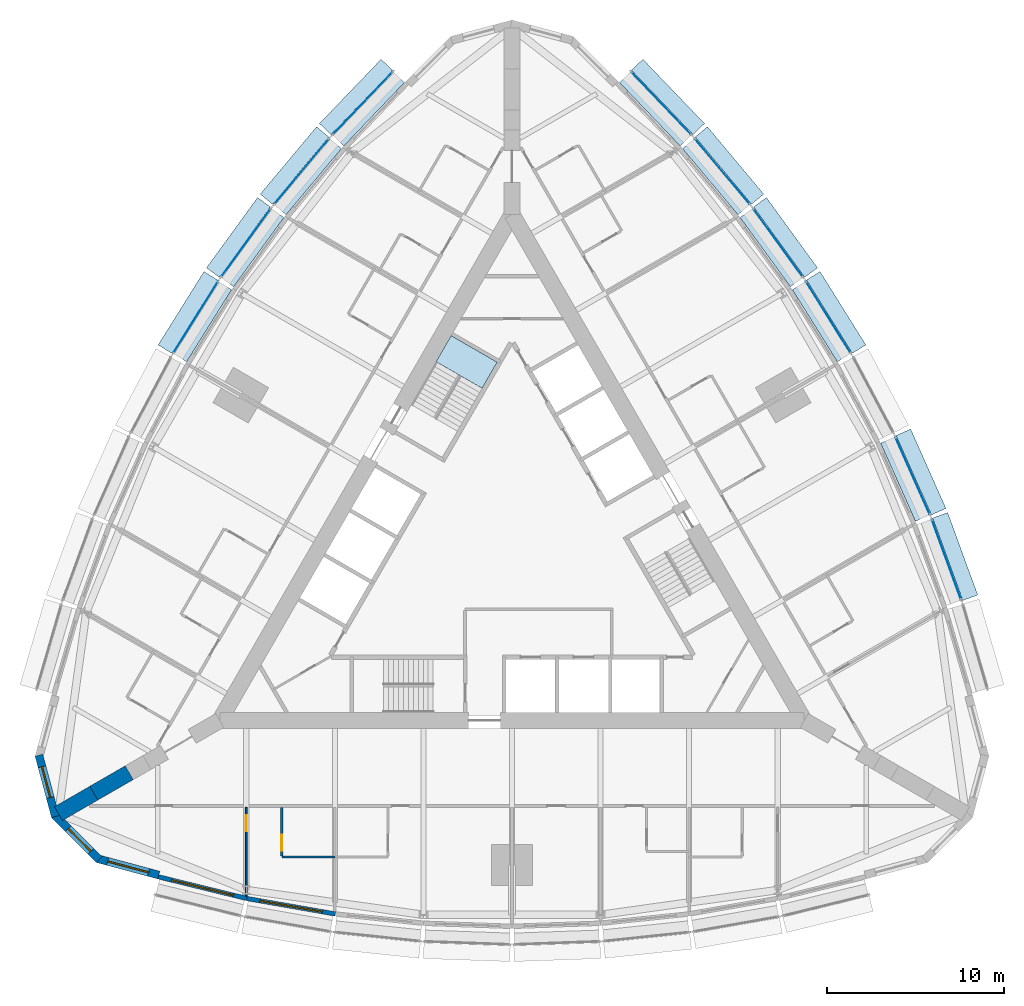
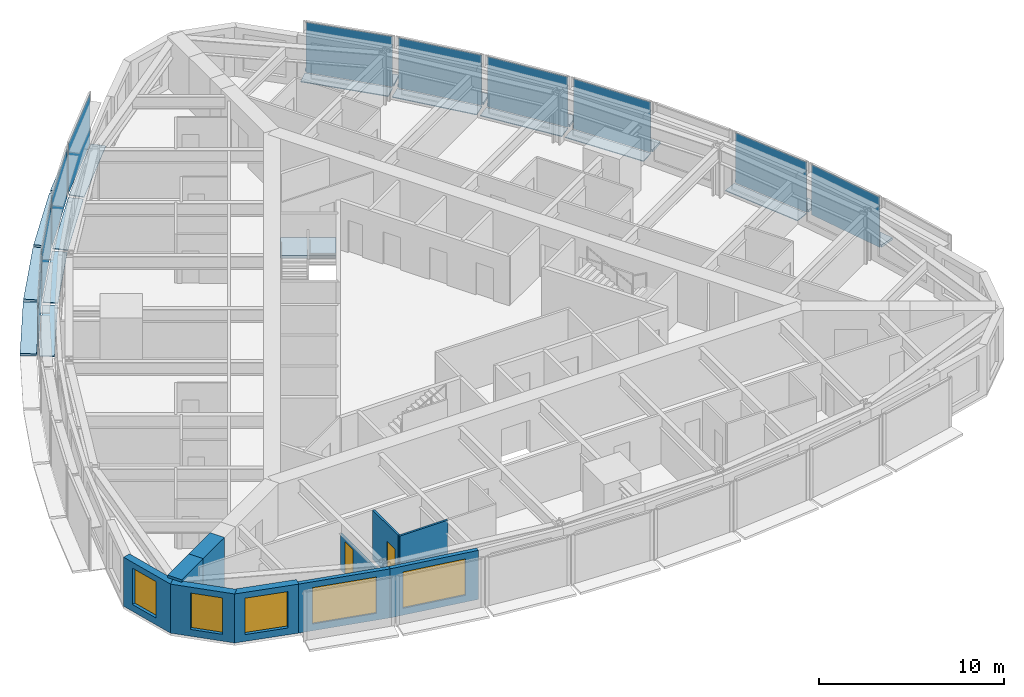
# One storey, part 7 of 14: 29 plates, 10 walls, 5 windows, 2 doors, 1 slab, 7 openings, 11 elements without a shape of their own.
"""IFC4 building model written with IfcOpenShell, lengths in metres."""

from ifc_helpers import new_model, si_unit, direction, frame, frame_2d, origin, origin_2d, place, context, subcontext, project, spatial, polyline, rectangle, outline, extrude, material, layer, layer_set, type_object, element, fill, aggregate, save


model = new_model("IFC4")

# Units and contexts
model_context = context("Model", 3, precision=1e-05, world=origin(), true_north=direction((0.0, 1.0)))
body_context = subcontext(model_context, "Body", "Model", "MODEL_VIEW")
ifc_project = project(units=[si_unit("LENGTHUNIT", "METRE"), si_unit("AREAUNIT", "SQUARE_METRE"), si_unit("VOLUMEUNIT", "CUBIC_METRE"), si_unit("PLANEANGLEUNIT", "RADIAN"), si_unit("MASSUNIT", "GRAM", prefix="KILO")], contexts=[model_context])

# Site, building, storey
site_placement = place(None, origin())
site = spatial("IfcSite", under=ifc_project, at=site_placement, CompositionType="ELEMENT")
building_placement = place(site_placement, origin())
building = spatial("IfcBuilding", under=site, at=building_placement, Name="Trikona Tower", CompositionType="ELEMENT")
storey_placement = place(building_placement, frame((0.0, 0.0, 162.300048828125)))
storey = spatial("IfcBuildingStorey", under=building, at=storey_placement, Name="L43", CompositionType="ELEMENT", Elevation=162.300048828125)

# Plates
ifc_material_1 = material(Name="Aluminium bar grating", Category="aluminium")
ifc_layer_1 = layer(ifc_material_1, 0.050048828125)
ifc_layer_set_1 = layer_set([ifc_layer_1], Name="Cavity catwalk grating")
plate_type_1 = type_object("IfcPlateType", Name="Cavity catwalk grating", PredefinedType="USERDEFINED", material=ifc_layer_set_1)
plate_1_placement = place(storey_placement, frame((22.175048828125, 4.092529296875, -0.05029296875), z_axis=(0.0, 0.0, 1.0), x_axis=(-0.406843467615, 0.913497888809, 0.0)))
element("IfcPlate", 1, at=plate_1_placement, inside=storey, type_object=plate_type_1, Name="Cavity catwalk L43-14", ObjectType="CATWALK GRATING", PredefinedType="USERDEFINED", context=body_context, shape_type="SweptSolid", body=[
    extrude(rectangle(XDim=4.827392578125, YDim=0.830078125, at=origin_2d()), origin(), (0.0, 0.0, 1.0), 0.050048828125),
])
plate_2_placement = place(storey_placement, frame((17.450927734375, 12.978759765625, -0.05029296875), z_axis=(0.0, 0.0, 1.0), x_axis=(-0.529994748414, 0.848000923734, 0.0)))
element("IfcPlate", 2, at=plate_2_placement, inside=storey, type_object=plate_type_1, Name="Cavity catwalk L43-16", ObjectType="CATWALK GRATING", PredefinedType="USERDEFINED", context=body_context, shape_type="SweptSolid", body=[
    extrude(rectangle(XDim=4.802978515625, YDim=0.830078125, at=origin_2d()), origin(), (0.0, 0.0, 1.0), 0.050048828125),
])
plate_3_placement = place(storey_placement, frame((14.6318359375, 17.157958984375, -0.05029296875), z_axis=(0.0, 0.0, 1.0), x_axis=(-0.587686407834, 0.809088799853, 0.0)))
element("IfcPlate", 3, at=plate_3_placement, inside=storey, type_object=plate_type_1, Name="Cavity catwalk L43-17", ObjectType="CATWALK GRATING", PredefinedType="USERDEFINED", context=body_context, shape_type="SweptSolid", body=[
    extrude(rectangle(XDim=4.827392578125, YDim=0.830078125, at=origin_2d()), origin(), (0.0, 0.0, 1.0), 0.050048828125),
])
plate_4_placement = place(storey_placement, frame((11.508056640625, 21.160400390625, -0.05029296875), z_axis=(0.0, 0.0, 1.0), x_axis=(-0.641807063101, 0.766866151133, 0.0)))
element("IfcPlate", 4, at=plate_4_placement, inside=storey, type_object=plate_type_1, Name="Cavity catwalk L43-18", ObjectType="CATWALK GRATING", PredefinedType="USERDEFINED", context=body_context, shape_type="SweptSolid", body=[
    extrude(rectangle(XDim=4.8759765625, YDim=0.830078125, at=origin_2d()), origin(), (0.0, 0.0, 1.0), 0.050048828125),
])
for number, where, z_axis, x_axis, name in (
    (5, (8.080078125, 24.986328125, -0.05029296875), (0.0, 0.0, 1.0), (-0.691723573819, 0.722162376078, 0.0), "Cavity catwalk L43-19"),
    (6, (-8.080078125, 24.986328125, -0.05029296875), (0.0, 0.0, 1.0), (-0.691723573819, -0.722162376078, 0.0), "Cavity catwalk L43-24"),
):
    element("IfcPlate", number, at=place(storey_placement, frame(where, z_axis=z_axis, x_axis=x_axis)), inside=storey, type_object=plate_type_1, Name=name, ObjectType="CATWALK GRATING", PredefinedType="USERDEFINED", context=body_context, shape_type="SweptSolid", body=[
        extrude(rectangle(XDim=4.947998046875, YDim=0.830078125, at=origin_2d()), origin(), (0.0, 0.0, 1.0), 0.050048828125),
    ])
plate_5_placement = place(storey_placement, frame((-11.508056640625, 21.160400390625, -0.05029296875), z_axis=(0.0, 0.0, 1.0), x_axis=(-0.641807063101, -0.766866151133, 0.0)))
element("IfcPlate", 7, at=plate_5_placement, inside=storey, type_object=plate_type_1, Name="Cavity catwalk L43-25", ObjectType="CATWALK GRATING", PredefinedType="USERDEFINED", context=body_context, shape_type="SweptSolid", body=[
    extrude(rectangle(XDim=4.8759765625, YDim=0.830078125, at=origin_2d()), origin(), (0.0, 0.0, 1.0), 0.050048828125),
])
plate_6_placement = place(storey_placement, frame((-14.6318359375, 17.157958984375, -0.05029296875), z_axis=(0.0, 0.0, 1.0), x_axis=(-0.587686407834, -0.809088799853, 0.0)))
element("IfcPlate", 8, at=plate_6_placement, inside=storey, type_object=plate_type_1, Name="Cavity catwalk L43-26", ObjectType="CATWALK GRATING", PredefinedType="USERDEFINED", context=body_context, shape_type="SweptSolid", body=[
    extrude(rectangle(XDim=4.827392578125, YDim=0.830078125, at=origin_2d()), origin(), (0.0, 0.0, 1.0), 0.050048828125),
])
plate_7_placement = place(storey_placement, frame((-17.450927734375, 12.978759765625, -0.05029296875), z_axis=(0.0, 0.0, 1.0), x_axis=(-0.529994748414, -0.848000923734, 0.0)))
element("IfcPlate", 9, at=plate_7_placement, inside=storey, type_object=plate_type_1, Name="Cavity catwalk L43-27", ObjectType="CATWALK GRATING", PredefinedType="USERDEFINED", context=body_context, shape_type="SweptSolid", body=[
    extrude(rectangle(XDim=4.802978515625, YDim=0.830078125, at=origin_2d()), origin(), (0.0, 0.0, 1.0), 0.050048828125),
])

# Curtain wall, plate
ifc_material_2 = material(Name="Aluminium curtain wall system", Category="aluminium")
curtain_wall_type = type_object("IfcCurtainWallType", Name="Curtain wall DS2", PredefinedType="NOTDEFINED", material=ifc_material_2)
curtain_wall_1_placement = place(storey_placement, origin())
curtain_wall_1 = element("IfcCurtainWall", 10, at=curtain_wall_1_placement, inside=storey, type_object=curtain_wall_type, Name="Curtain wall DS2 L43", PredefinedType="NOTDEFINED")
ifc_material_3 = material(Name="Laminated clear glass", Category="glass")
ifc_layer_2 = layer(ifc_material_3, 0.028076171875)
ifc_layer_set_2 = layer_set([ifc_layer_2], Name="Glass panel DS2")
plate_type_2 = type_object("IfcPlateType", Name="Glass panel DS2", PredefinedType="CURTAIN_PANEL", material=ifc_layer_set_2)
plate_8_placement = place(storey_placement, frame((24.53515625, -0.447509765625, 0.0), z_axis=(0.0, 0.0, 1.0), x_axis=(-0.343223420143, 0.939253790978, 0.0)))
plate_8 = element("IfcPlate", 11, at=plate_8_placement, type_object=plate_type_2, Name="CW-DS2 panel 1.1", PredefinedType="CURTAIN_PANEL", context=body_context, shape_type="SweptSolid", body=[
    extrude(rectangle(XDim=4.7958984375, YDim=0.028076171875, at=origin_2d()), origin(), (0.0, 0.0, 1.0), 3.320068359375),
])
aggregate(curtain_wall_1, [plate_8])

curtain_wall_2_placement = place(storey_placement, origin())
curtain_wall_2 = element("IfcCurtainWall", 12, at=curtain_wall_2_placement, inside=storey, type_object=curtain_wall_type, Name="Curtain wall DS2 L43", PredefinedType="NOTDEFINED")
plate_9_placement = place(storey_placement, frame((22.6181640625, 4.289794921875, 0.0), z_axis=(0.0, 0.0, 1.0), x_axis=(-0.406836013132, 0.913501208767, 0.0)))
plate_9 = element("IfcPlate", 13, at=plate_9_placement, type_object=plate_type_2, Name="CW-DS2 panel 1.1", PredefinedType="CURTAIN_PANEL", context=body_context, shape_type="SweptSolid", body=[
    extrude(rectangle(XDim=4.747314453125, YDim=0.028076171875, at=origin_2d()), origin(), (0.0, 0.0, 1.0), 3.320068359375),
])
aggregate(curtain_wall_2, [plate_9])

curtain_wall_3_placement = place(storey_placement, origin())
curtain_wall_3 = element("IfcCurtainWall", 14, at=curtain_wall_3_placement, inside=storey, type_object=curtain_wall_type, Name="Curtain wall DS2 L43", PredefinedType="NOTDEFINED")
plate_10_placement = place(storey_placement, frame((17.8623046875, 13.23583984375, 0.0), z_axis=(0.0, 0.0, 1.0), x_axis=(-0.529998940002, 0.847998304006, 0.0)))
plate_10 = element("IfcPlate", 15, at=plate_10_placement, type_object=plate_type_2, Name="CW-DS2 panel 1.1", PredefinedType="CURTAIN_PANEL", context=body_context, shape_type="SweptSolid", body=[
    extrude(rectangle(XDim=4.72314453125, YDim=0.028076171875, at=origin_2d()), origin(), (0.0, 0.0, 1.0), 3.320068359375),
])
aggregate(curtain_wall_3, [plate_10])

curtain_wall_4_placement = place(storey_placement, origin())
curtain_wall_4 = element("IfcCurtainWall", 16, at=curtain_wall_4_placement, inside=storey, type_object=curtain_wall_type, Name="Curtain wall DS2 L43", PredefinedType="NOTDEFINED")
plate_11_placement = place(storey_placement, frame((15.024169921875, 17.443115234375, 0.0), z_axis=(0.0, 0.0, 1.0), x_axis=(-0.587690588313, 0.80908576332, 0.0)))
plate_11 = element("IfcPlate", 17, at=plate_11_placement, type_object=plate_type_2, Name="CW-DS2 panel 1.1", PredefinedType="CURTAIN_PANEL", context=body_context, shape_type="SweptSolid", body=[
    extrude(rectangle(XDim=4.74755859375, YDim=0.028076171875, at=origin_2d()), origin(), (0.0, 0.0, 1.0), 3.320068359375),
])
aggregate(curtain_wall_4, [plate_11])

curtain_wall_5_placement = place(storey_placement, origin())
curtain_wall_5 = element("IfcCurtainWall", 18, at=curtain_wall_5_placement, inside=storey, type_object=curtain_wall_type, Name="Curtain wall DS2 L43", PredefinedType="NOTDEFINED")
plate_12_placement = place(storey_placement, frame((11.8798828125, 21.4716796875, 0.0), z_axis=(0.0, 0.0, 1.0), x_axis=(-0.641806433248, 0.766866678271, 0.0)))
plate_12 = element("IfcPlate", 19, at=plate_12_placement, type_object=plate_type_2, Name="CW-DS2 panel 1.1", PredefinedType="CURTAIN_PANEL", context=body_context, shape_type="SweptSolid", body=[
    extrude(rectangle(XDim=4.7958984375, YDim=0.028076171875, at=origin_2d()), origin(), (0.0, 0.0, 1.0), 3.320068359375),
])
aggregate(curtain_wall_5, [plate_12])

curtain_wall_6_placement = place(storey_placement, origin())
curtain_wall_6 = element("IfcCurtainWall", 20, at=curtain_wall_6_placement, inside=storey, type_object=curtain_wall_type, Name="Curtain wall DS2 L43", PredefinedType="NOTDEFINED")
plate_13_placement = place(storey_placement, frame((8.430419921875, 25.32177734375, 0.0), z_axis=(0.0, 0.0, 1.0), x_axis=(-0.691727797117, 0.722158330767, 0.0)))
plate_13 = element("IfcPlate", 21, at=plate_13_placement, type_object=plate_type_2, Name="CW-DS2 panel 1.1", PredefinedType="CURTAIN_PANEL", context=body_context, shape_type="SweptSolid", body=[
    extrude(rectangle(XDim=4.867919921875, YDim=0.028076171875, at=origin_2d()), origin(), (0.0, 0.0, 1.0), 3.320068359375),
])
aggregate(curtain_wall_6, [plate_13])

curtain_wall_7_placement = place(storey_placement, origin())
curtain_wall_7 = element("IfcCurtainWall", 22, at=curtain_wall_7_placement, inside=storey, type_object=curtain_wall_type, Name="Curtain wall DS2 L43", PredefinedType="NOTDEFINED")
plate_14_placement = place(storey_placement, frame((-8.430419921875, 25.32177734375, 0.0), z_axis=(0.0, 0.0, 1.0), x_axis=(-0.691727797117, -0.722158330767, 0.0)))
plate_14 = element("IfcPlate", 23, at=plate_14_placement, type_object=plate_type_2, Name="CW-DS2 panel 1.1", PredefinedType="CURTAIN_PANEL", context=body_context, shape_type="SweptSolid", body=[
    extrude(rectangle(XDim=4.867919921875, YDim=0.028076171875, at=origin_2d()), origin(), (0.0, 0.0, 1.0), 3.320068359375),
])
aggregate(curtain_wall_7, [plate_14])

curtain_wall_8_placement = place(storey_placement, origin())
curtain_wall_8 = element("IfcCurtainWall", 24, at=curtain_wall_8_placement, inside=storey, type_object=curtain_wall_type, Name="Curtain wall DS2 L43", PredefinedType="NOTDEFINED")
plate_15_placement = place(storey_placement, frame((-11.8798828125, 21.4716796875, 0.0), z_axis=(0.0, 0.0, 1.0), x_axis=(-0.641806433248, -0.766866678271, 0.0)))
plate_15 = element("IfcPlate", 25, at=plate_15_placement, type_object=plate_type_2, Name="CW-DS2 panel 1.1", PredefinedType="CURTAIN_PANEL", context=body_context, shape_type="SweptSolid", body=[
    extrude(rectangle(XDim=4.7958984375, YDim=0.028076171875, at=origin_2d()), origin(), (0.0, 0.0, 1.0), 3.320068359375),
])
aggregate(curtain_wall_8, [plate_15])

curtain_wall_9_placement = place(storey_placement, origin())
curtain_wall_9 = element("IfcCurtainWall", 26, at=curtain_wall_9_placement, inside=storey, type_object=curtain_wall_type, Name="Curtain wall DS2 L43", PredefinedType="NOTDEFINED")
plate_16_placement = place(storey_placement, frame((-15.024169921875, 17.443115234375, 0.0), z_axis=(0.0, 0.0, 1.0), x_axis=(-0.587690588313, -0.80908576332, 0.0)))
plate_16 = element("IfcPlate", 27, at=plate_16_placement, type_object=plate_type_2, Name="CW-DS2 panel 1.1", PredefinedType="CURTAIN_PANEL", context=body_context, shape_type="SweptSolid", body=[
    extrude(rectangle(XDim=4.74755859375, YDim=0.028076171875, at=origin_2d()), origin(), (0.0, 0.0, 1.0), 3.320068359375),
])
aggregate(curtain_wall_9, [plate_16])

curtain_wall_10_placement = place(storey_placement, origin())
curtain_wall_10 = element("IfcCurtainWall", 28, at=curtain_wall_10_placement, inside=storey, type_object=curtain_wall_type, Name="Curtain wall DS2 L43", PredefinedType="NOTDEFINED")
plate_17_placement = place(storey_placement, frame((-17.8623046875, 13.23583984375, 0.0), z_axis=(0.0, 0.0, 1.0), x_axis=(-0.529998940002, -0.847998304006, 0.0)))
plate_17 = element("IfcPlate", 29, at=plate_17_placement, type_object=plate_type_2, Name="CW-DS2 panel 1.1", PredefinedType="CURTAIN_PANEL", context=body_context, shape_type="SweptSolid", body=[
    extrude(rectangle(XDim=4.72314453125, YDim=0.028076171875, at=origin_2d()), origin(), (0.0, 0.0, 1.0), 3.320068359375),
])
aggregate(curtain_wall_10, [plate_17])

# Plates
ifc_material_4 = material(Name="Aluminium plate fin, pale anodised, on stainless steel outriggers", Category="steel")
ifc_layer_3 = layer(ifc_material_4, 0.14990234375)
ifc_layer_set_3 = layer_set([ifc_layer_3], Name="Outer skin fin 900")
plate_type_3 = type_object("IfcPlateType", Name="Outer skin fin 900", PredefinedType="USERDEFINED", material=ifc_layer_set_3)
plate_18_placement = place(storey_placement, frame((25.0234375, -0.26904296875, 0.0), z_axis=(0.0, 0.0, 1.0), x_axis=(-0.343220397324, 0.939254895575, 0.0)))
element("IfcPlate", 30, at=plate_18_placement, inside=storey, type_object=plate_type_3, Name="Outer skin fin L43-13", ObjectType="FIN", PredefinedType="USERDEFINED", context=body_context, shape_type="SweptSolid", body=[
    extrude(rectangle(XDim=4.9560546875, YDim=0.89990234375, at=origin_2d()), origin(), (0.0, 0.0, 1.0), 0.14990234375),
])
plate_19_placement = place(storey_placement, frame((23.09326171875, 4.50146484375, 0.0), z_axis=(0.0, 0.0, 1.0), x_axis=(-0.406843467615, 0.913497888809, 0.0)))
element("IfcPlate", 31, at=plate_19_placement, inside=storey, type_object=plate_type_3, Name="Outer skin fin L43-14", ObjectType="FIN", PredefinedType="USERDEFINED", context=body_context, shape_type="SweptSolid", body=[
    extrude(rectangle(XDim=4.907470703125, YDim=0.89990234375, at=origin_2d()), origin(), (0.0, 0.0, 1.0), 0.14990234375),
])
plate_20_placement = place(storey_placement, frame((18.30322265625, 13.511474609375, 0.0), z_axis=(0.0, 0.0, 1.0), x_axis=(-0.529994748414, 0.848000923734, 0.0)))
element("IfcPlate", 32, at=plate_20_placement, inside=storey, type_object=plate_type_3, Name="Outer skin fin L43-16", ObjectType="FIN", PredefinedType="USERDEFINED", context=body_context, shape_type="SweptSolid", body=[
    extrude(rectangle(XDim=4.883056640625, YDim=0.89990234375, at=origin_2d()), origin(), (0.0, 0.0, 1.0), 0.14990234375),
])
plate_21_placement = place(storey_placement, frame((15.44482421875, 17.74853515625, 0.0), z_axis=(0.0, 0.0, 1.0), x_axis=(-0.587686407834, 0.809088799853, 0.0)))
element("IfcPlate", 33, at=plate_21_placement, inside=storey, type_object=plate_type_3, Name="Outer skin fin L43-17", ObjectType="FIN", PredefinedType="USERDEFINED", context=body_context, shape_type="SweptSolid", body=[
    extrude(rectangle(XDim=4.907470703125, YDim=0.89990234375, at=origin_2d()), origin(), (0.0, 0.0, 1.0), 0.14990234375),
])
plate_22_placement = place(storey_placement, frame((12.27880859375, 21.8056640625, 0.0), z_axis=(0.0, 0.0, 1.0), x_axis=(-0.641807063101, 0.766866151133, 0.0)))
element("IfcPlate", 34, at=plate_22_placement, inside=storey, type_object=plate_type_3, Name="Outer skin fin L43-18", ObjectType="FIN", PredefinedType="USERDEFINED", context=body_context, shape_type="SweptSolid", body=[
    extrude(rectangle(XDim=4.9560546875, YDim=0.89990234375, at=origin_2d()), origin(), (0.0, 0.0, 1.0), 0.14990234375),
])
for number, where, z_axis, x_axis, name in (
    (35, (8.805908203125, 25.681396484375, 0.0), (0.0, 0.0, 1.0), (-0.691723573819, 0.722162376078, 0.0), "Outer skin fin L43-19"),
    (36, (-8.805908203125, 25.681396484375, 0.0), (0.0, 0.0, 1.0), (-0.691723573819, -0.722162376078, 0.0), "Outer skin fin L43-24"),
):
    element("IfcPlate", number, at=place(storey_placement, frame(where, z_axis=z_axis, x_axis=x_axis)), inside=storey, type_object=plate_type_3, Name=name, ObjectType="FIN", PredefinedType="USERDEFINED", context=body_context, shape_type="SweptSolid", body=[
        extrude(rectangle(XDim=5.02783203125, YDim=0.89990234375, at=origin_2d()), origin(), (0.0, 0.0, 1.0), 0.14990234375),
    ])
plate_23_placement = place(storey_placement, frame((-12.27880859375, 21.8056640625, 0.0), z_axis=(0.0, 0.0, 1.0), x_axis=(-0.641807063101, -0.766866151133, 0.0)))
element("IfcPlate", 37, at=plate_23_placement, inside=storey, type_object=plate_type_3, Name="Outer skin fin L43-25", ObjectType="FIN", PredefinedType="USERDEFINED", context=body_context, shape_type="SweptSolid", body=[
    extrude(rectangle(XDim=4.9560546875, YDim=0.89990234375, at=origin_2d()), origin(), (0.0, 0.0, 1.0), 0.14990234375),
])
plate_24_placement = place(storey_placement, frame((-15.44482421875, 17.74853515625, 0.0), z_axis=(0.0, 0.0, 1.0), x_axis=(-0.587686407834, -0.809088799853, 0.0)))
element("IfcPlate", 38, at=plate_24_placement, inside=storey, type_object=plate_type_3, Name="Outer skin fin L43-26", ObjectType="FIN", PredefinedType="USERDEFINED", context=body_context, shape_type="SweptSolid", body=[
    extrude(rectangle(XDim=4.907470703125, YDim=0.89990234375, at=origin_2d()), origin(), (0.0, 0.0, 1.0), 0.14990234375),
])
plate_25_placement = place(storey_placement, frame((-18.30322265625, 13.511474609375, 0.0), z_axis=(0.0, 0.0, 1.0), x_axis=(-0.529994748414, -0.848000923734, 0.0)))
element("IfcPlate", 39, at=plate_25_placement, inside=storey, type_object=plate_type_3, Name="Outer skin fin L43-27", ObjectType="FIN", PredefinedType="USERDEFINED", context=body_context, shape_type="SweptSolid", body=[
    extrude(rectangle(XDim=4.883056640625, YDim=0.89990234375, at=origin_2d()), origin(), (0.0, 0.0, 1.0), 0.14990234375),
])

# Stair, slab
ifc_material_5 = material(Name="Concrete f'c 5000 psi", Category="concrete")
stair_type = type_object("IfcStairType", Name="Core stair", PredefinedType="HALF_TURN_STAIR", material=ifc_material_5)
stair_placement = place(storey_placement, origin())
stair = element("IfcStair", 40, at=stair_placement, inside=storey, type_object=stair_type, Name="Stair C L43", PredefinedType="HALF_TURN_STAIR")
ifc_material_6 = material(Name="Concrete f'c 5000 psi", Category="concrete")
ifc_layer_4 = layer(ifc_material_6, 0.199951171875)
ifc_layer_set_4 = layer_set([ifc_layer_4], Name="Stair landing 200")
slab_type = type_object("IfcSlabType", Name="Stair landing 200", PredefinedType="LANDING", material=ifc_layer_set_4)
slab_placement = place(storey_placement, frame((0.0, 0.0, 1.5)))
slab = element("IfcSlab", 41, at=slab_placement, type_object=slab_type, Name="ST-C landing 2", PredefinedType="LANDING", context=body_context, shape_type="SweptSolid", body=[
    extrude(outline(polyline([(-0.837158203125, 10.702392578125), (-1.688720703125, 9.2275390625), (-4.286865234375, 10.7275390625), (-3.435302734375, 12.202392578125), (-0.837158203125, 10.702392578125)])), origin(), (0.0, 0.0, 1.0), 0.199951171875),
])
aggregate(stair, [slab])

# Wall
ifc_material_7 = material(Name="Metal stud and cement board", Category="gypsum")
ifc_layer_5 = layer(ifc_material_7, 0.1201171875)
ifc_layer_set_5 = layer_set([ifc_layer_5], Name="Bathroom wall 120")
wall_type_1 = type_object("IfcWallType", Name="Bathroom wall 120", PredefinedType="PLUMBINGWALL", material=ifc_layer_set_5)
wall_1_placement = place(storey_placement, frame((-13.0, -17.226318359375, 0.0), z_axis=(0.0, 0.0, 1.0), x_axis=(1.0, 0.0, 0.0)))
element("IfcWall", 42, at=wall_1_placement, inside=storey, type_object=wall_type_1, Name="Bathroom wall 4301.1", PredefinedType="PLUMBINGWALL", context=body_context, shape_type="SweptSolid", body=[
    extrude(rectangle(XDim=3.0, YDim=0.1201171875, at=frame_2d((1.5, 0.0))), origin(), (0.0, 0.0, 1.0), 3.23486328125),
])

# Wall, opening, door
wall_2_placement = place(storey_placement, frame((-13.0, -14.42626953125, 0.0), z_axis=(0.0, 0.0, 1.0), x_axis=(0.0, -1.0, 0.0)))
wall_2 = element("IfcWall", 43, at=wall_2_placement, inside=storey, type_object=wall_type_1, Name="Bathroom wall 4301.1", PredefinedType="PLUMBINGWALL", context=body_context, shape_type="SweptSolid", body=[
    extrude(rectangle(XDim=2.739990234375, YDim=0.1201171875, at=frame_2d((1.3701171875, 0.0))), origin(), (0.0, 0.0, 1.0), 3.23486328125),
])
opening_1_placement = place(wall_2_placement, frame((1.550048828125, 0.0, 0.0)))
opening_1 = element("IfcOpeningElement", 44, at=opening_1_placement, cuts=wall_2, Name="Opening D2", PredefinedType="OPENING", context=body_context, shape_type="SweptSolid", body=[
    extrude(rectangle(XDim=0.89990234375, YDim=2.1298828125, at=frame_2d((0.449951171875, 1.06494140625))), frame((0.0, 0.070068359375, 0.0), z_axis=(0.0, -1.0, 0.0), x_axis=(1.0, 0.0, 0.0)), (0.0, 0.0, 1.0), 0.14013671875),
])
ifc_material_8 = material(Name="Steel door frame with solid-core timber leaf", Category="steel")
door_type_1 = type_object("IfcDoorType", Name="Bathroom door 900x2130", OperationType="SLIDING_TO_LEFT", PredefinedType="DOOR", material=ifc_material_8)
door_1_placement = place(opening_1_placement, origin())
door_1 = element("IfcDoor", 45, at=door_1_placement, inside=storey, type_object=door_type_1, Name="Bathroom door 4301.1", OperationType="SLIDING_TO_LEFT", OverallHeight=2.1298828125, OverallWidth=0.89990234375, PredefinedType="DOOR", context=body_context, shape_type="SweptSolid", body=[
    extrude(rectangle(XDim=0.89990234375, YDim=2.1298828125, at=frame_2d((0.449951171875, 1.06494140625))), frame((0.0, 0.02490234375, 0.0), z_axis=(0.0, -1.0, 0.0), x_axis=(1.0, 0.0, 0.0)), (0.0, 0.0, 1.0), 0.050048828125),
])
fill(opening_1, door_1)

# Wall, opening, window
ifc_material_9 = material(Name="Brick-faced precast concrete", Category="masonry")
ifc_layer_6 = layer(ifc_material_9, 0.449951171875)
ifc_layer_set_6 = layer_set([ifc_layer_6], Name="Brick-faced corner wall 450")
wall_type_2 = type_object("IfcWallType", Name="Brick-faced corner wall 450", PredefinedType="SOLIDWALL", material=ifc_layer_set_6)
wall_3_placement = place(storey_placement, frame((-26.7109375, -11.48876953125, 0.0), z_axis=(0.0, 0.0, 1.0), x_axis=(0.258823421857, -0.965924653531, 0.0)))
wall_3 = element("IfcWall", 46, at=wall_3_placement, inside=storey, type_object=wall_type_2, Name="External wall L43-33", PredefinedType="SOLIDWALL", context=body_context, shape_type="SweptSolid", body=[
    extrude(outline(polyline([(3.58642578125, 0.22509765625), (3.52685546875, 0.22509765625), (3.03515625, 0.09326171875), (3.0, 0.22509765625), (0.0, 0.22509765625), (0.0, -0.22509765625), (3.58642578125, -0.22509765625), (3.58642578125, 0.22509765625)])), origin(), (0.0, 0.0, 1.0), 3.23486328125),
])
opening_2_placement = place(wall_3_placement, frame((0.6748046875, 0.0, 0.449951171875)))
opening_2 = element("IfcOpeningElement", 47, at=opening_2_placement, cuts=wall_3, Name="Opening W1824", PredefinedType="OPENING", context=body_context, shape_type="SweptSolid", body=[
    extrude(rectangle(XDim=1.800048828125, YDim=2.39990234375, at=frame_2d((0.89990234375, 1.199951171875))), frame((0.0, 0.23486328125, 0.0), z_axis=(0.0, -1.0, 0.0), x_axis=(1.0, 0.0, 0.0)), (0.0, 0.0, 1.0), 0.469970703125),
])
ifc_material_10 = material(Name="Aluminium-framed double glazing", Category="aluminium")
window_type_1 = type_object("IfcWindowType", Name="Window 1800x2400", PartitioningType="SINGLE_PANEL", PredefinedType="WINDOW", material=ifc_material_10)
window_1_placement = place(opening_2_placement, origin())
window_1 = element("IfcWindow", 48, at=window_1_placement, inside=storey, type_object=window_type_1, Name="Window 4315", OverallHeight=2.39990234375, OverallWidth=1.800048828125, PartitioningType="SINGLE_PANEL", PredefinedType="WINDOW", context=body_context, shape_type="SweptSolid", body=[
    extrude(rectangle(XDim=1.800048828125, YDim=2.39990234375, at=frame_2d((0.89990234375, 1.199951171875))), frame((0.0, 0.030029296875, 0.0), z_axis=(0.0, -1.0, 0.0), x_axis=(1.0, 0.0, 0.0)), (0.0, 0.0, 1.0), 0.06005859375),
])
fill(opening_2, window_1)

wall_4_placement = place(storey_placement, frame((-25.8408203125, -14.85205078125, 0.0), z_axis=(0.0, 0.0, 1.0), x_axis=(0.707106781187, -0.707106781187, 0.0)))
wall_4 = element("IfcWall", 49, at=wall_4_placement, inside=storey, type_object=wall_type_2, Name="External wall L43-34", PredefinedType="SOLIDWALL", context=body_context, shape_type="SweptSolid", body=[
    extrude(outline(polyline([(3.586181640625, 0.22509765625), (0.58642578125, 0.22509765625), (0.551025390625, 0.09326171875), (0.05908203125, 0.22509765625), (0.0, 0.22509765625), (0.0, -0.22509765625), (3.586181640625, -0.22509765625), (3.586181640625, 0.22509765625)])), origin(), (0.0, 0.0, 1.0), 3.23486328125),
])
opening_3_placement = place(wall_4_placement, frame((1.111328125, 0.0, 0.449951171875)))
opening_3 = element("IfcOpeningElement", 50, at=opening_3_placement, cuts=wall_4, Name="Opening W1824", PredefinedType="OPENING", context=body_context, shape_type="SweptSolid", body=[
    extrude(rectangle(XDim=1.800048828125, YDim=2.39990234375, at=frame_2d((0.89990234375, 1.199951171875))), frame((0.0, 0.23486328125, 0.0), z_axis=(0.0, -1.0, 0.0), x_axis=(1.0, 0.0, 0.0)), (0.0, 0.0, 1.0), 0.469970703125),
])
window_2_placement = place(opening_3_placement, origin())
window_2 = element("IfcWindow", 51, at=window_2_placement, inside=storey, type_object=window_type_1, Name="Window 4301", OverallHeight=2.39990234375, OverallWidth=1.800048828125, PartitioningType="SINGLE_PANEL", PredefinedType="WINDOW", context=body_context, shape_type="SweptSolid", body=[
    extrude(rectangle(XDim=1.800048828125, YDim=2.39990234375, at=frame_2d((0.89990234375, 1.199951171875))), frame((0.0, 0.030029296875, 0.0), z_axis=(0.0, -1.0, 0.0), x_axis=(1.0, 0.0, 0.0)), (0.0, 0.0, 1.0), 0.06005859375),
])
fill(opening_3, window_2)

wall_5_placement = place(storey_placement, frame((-23.406005859375, -17.32958984375, 0.0), z_axis=(0.0, 0.0, 1.0), x_axis=(0.965924653531, -0.258823421857, 0.0)))
wall_5 = element("IfcWall", 52, at=wall_5_placement, inside=storey, type_object=wall_type_2, Name="External wall L43-35", PredefinedType="SOLIDWALL", context=body_context, shape_type="SweptSolid", body=[
    extrude(rectangle(XDim=3.58642578125, YDim=0.449951171875, at=frame_2d((1.793212890625, 0.0))), origin(), (0.0, 0.0, 1.0), 3.23486328125),
])
opening_4_placement = place(wall_5_placement, frame((0.593017578125, 0.0, 0.449951171875)))
opening_4 = element("IfcOpeningElement", 53, at=opening_4_placement, cuts=wall_5, Name="Opening W2424", PredefinedType="OPENING", context=body_context, shape_type="SweptSolid", body=[
    extrude(rectangle(XDim=2.39990234375, YDim=2.39990234375, at=frame_2d((1.199951171875, 1.199951171875))), frame((0.0, 0.23486328125, 0.0), z_axis=(0.0, -1.0, 0.0), x_axis=(1.0, 0.0, 0.0)), (0.0, 0.0, 1.0), 0.469970703125),
])
ifc_material_11 = material(Name="Aluminium-framed double glazing", Category="aluminium")
window_type_2 = type_object("IfcWindowType", Name="Window 2400x2400", PartitioningType="SINGLE_PANEL", PredefinedType="WINDOW", material=ifc_material_11)
window_3_placement = place(opening_4_placement, origin())
window_3 = element("IfcWindow", 54, at=window_3_placement, inside=storey, type_object=window_type_2, Name="Window 4301", OverallHeight=2.39990234375, OverallWidth=2.39990234375, PartitioningType="SINGLE_PANEL", PredefinedType="WINDOW", context=body_context, shape_type="SweptSolid", body=[
    extrude(rectangle(XDim=2.39990234375, YDim=2.39990234375, at=frame_2d((1.199951171875, 1.199951171875))), frame((0.0, 0.030029296875, 0.0), z_axis=(0.0, -1.0, 0.0), x_axis=(1.0, 0.0, 0.0)), (0.0, 0.0, 1.0), 0.06005859375),
])
fill(opening_4, window_3)

# Walls
ifc_material_12 = material(Name="Concrete f'c 10000 psi", Category="concrete")
ifc_layer_7 = layer(ifc_material_12, 0.89990234375)
ifc_layer_set_7 = layer_set([ifc_layer_7], Name="Buttress wall 900")
wall_type_3 = type_object("IfcWallType", Name="Buttress wall 900", PredefinedType="SHEAR", material=ifc_layer_set_7)
for number, where, z_axis, x_axis, name in (
    (55, (-21.6103515625, -12.476806640625, 0.0), (0.0, 0.0, 1.0), (-0.866055313784, -0.499948190782, 0.0), "Buttress wall 3 part 3"),
    (56, (-23.6103515625, -13.63134765625, 0.0), (0.0, 0.0, 1.0), (-0.866009537788, -0.500027479704, 0.0), "Buttress wall 3 part 4"),
):
    element("IfcWall", number, at=place(storey_placement, frame(where, z_axis=z_axis, x_axis=x_axis)), inside=storey, type_object=wall_type_3, Name=name, PredefinedType="SHEAR", context=body_context, shape_type="SweptSolid", body=[
        extrude(rectangle(XDim=2.309326171875, YDim=0.89990234375, at=frame_2d((1.15478515625, 0.0))), origin(), (0.0, 0.0, 1.0), 3.39990234375),
    ])

# Wall, opening, window
ifc_material_13 = material(Name="Insulated precast concrete spandrel panel", Category="concrete")
ifc_layer_8 = layer(ifc_material_13, 0.25)
ifc_layer_set_8 = layer_set([ifc_layer_8], Name="Inner skin wall 250")
wall_type_4 = type_object("IfcWallType", Name="Inner skin wall 250", PredefinedType="STANDARD", material=ifc_layer_set_8)
wall_6_placement = place(storey_placement, frame((-19.97021484375, -18.353759765625, 0.0), z_axis=(0.0, 0.0, 1.0), x_axis=(0.971270024053, -0.237980126011, 0.0)))
wall_6 = element("IfcWall", 57, at=wall_6_placement, inside=storey, type_object=wall_type_4, Name="External wall L43-00", PredefinedType="STANDARD", context=body_context, shape_type="SweptSolid", body=[
    extrude(rectangle(XDim=5.14794921875, YDim=0.25, at=frame_2d((2.573974609375, 0.0))), origin(), (0.0, 0.0, 1.0), 3.23486328125),
])
opening_5_placement = place(wall_6_placement, frame((0.77392578125, 0.0, 0.449951171875)))
opening_5 = element("IfcOpeningElement", 58, at=opening_5_placement, cuts=wall_6, Name="Opening W3624", PredefinedType="OPENING", context=body_context, shape_type="SweptSolid", body=[
    extrude(rectangle(XDim=3.60009765625, YDim=2.39990234375, at=frame_2d((1.800048828125, 1.199951171875))), frame((0.0, 0.135009765625, 0.0), z_axis=(0.0, -1.0, 0.0), x_axis=(1.0, 0.0, 0.0)), (0.0, 0.0, 1.0), 0.27001953125),
])
ifc_material_14 = material(Name="Aluminium-framed double glazing", Category="aluminium")
window_type_3 = type_object("IfcWindowType", Name="Window 3600x2400", PartitioningType="SINGLE_PANEL", PredefinedType="WINDOW", material=ifc_material_14)
window_4_placement = place(opening_5_placement, origin())
window_4 = element("IfcWindow", 59, at=window_4_placement, inside=storey, type_object=window_type_3, Name="Window 4301", OverallHeight=2.39990234375, OverallWidth=3.60009765625, PartitioningType="SINGLE_PANEL", PredefinedType="WINDOW", context=body_context, shape_type="SweptSolid", body=[
    extrude(rectangle(XDim=3.60009765625, YDim=2.39990234375, at=frame_2d((1.800048828125, 1.199951171875))), frame((0.0, 0.030029296875, 0.0), z_axis=(0.0, -1.0, 0.0), x_axis=(1.0, 0.0, 0.0)), (0.0, 0.0, 1.0), 0.06005859375),
])
fill(opening_5, window_4)

wall_7_placement = place(storey_placement, frame((-14.978515625, -19.5771484375, 0.0), z_axis=(0.0, 0.0, 1.0), x_axis=(0.985030467156, -0.172380331752, 0.0)))
wall_7 = element("IfcWall", 60, at=wall_7_placement, inside=storey, type_object=wall_type_4, Name="External wall L43-01", PredefinedType="STANDARD", context=body_context, shape_type="SweptSolid", body=[
    extrude(rectangle(XDim=5.075927734375, YDim=0.25, at=frame_2d((2.5380859375, 0.0))), origin(), (0.0, 0.0, 1.0), 3.23486328125),
])
opening_6_placement = place(wall_7_placement, frame((0.738037109375, 0.0, 0.449951171875)))
opening_6 = element("IfcOpeningElement", 61, at=opening_6_placement, cuts=wall_7, Name="Opening W3624", PredefinedType="OPENING", context=body_context, shape_type="SweptSolid", body=[
    extrude(rectangle(XDim=3.60009765625, YDim=2.39990234375, at=frame_2d((1.800048828125, 1.199951171875))), frame((0.0, 0.135009765625, 0.0), z_axis=(0.0, -1.0, 0.0), x_axis=(1.0, 0.0, 0.0)), (0.0, 0.0, 1.0), 0.27001953125),
])
window_5_placement = place(opening_6_placement, origin())
window_5 = element("IfcWindow", 62, at=window_5_placement, inside=storey, type_object=window_type_3, Name="Window 4301.1", OverallHeight=2.39990234375, OverallWidth=3.60009765625, PartitioningType="SINGLE_PANEL", PredefinedType="WINDOW", context=body_context, shape_type="SweptSolid", body=[
    extrude(rectangle(XDim=3.60009765625, YDim=2.39990234375, at=frame_2d((1.800048828125, 1.199951171875))), frame((0.0, 0.030029296875, 0.0), z_axis=(0.0, -1.0, 0.0), x_axis=(1.0, 0.0, 0.0)), (0.0, 0.0, 1.0), 0.06005859375),
])
fill(opening_6, window_5)

# Wall, opening, door
ifc_material_15 = material(Name="Metal stud and gypsum board, acoustic", Category="gypsum")
ifc_layer_9 = layer(ifc_material_15, 0.10009765625)
ifc_layer_set_9 = layer_set([ifc_layer_9], Name="Suite partition 100")
wall_type_5 = type_object("IfcWallType", Name="Suite partition 100", PredefinedType="PARTITIONING", material=ifc_layer_set_9)
wall_8_placement = place(storey_placement, frame((-15.0, -14.42626953125, 0.0), z_axis=(0.0, 0.0, 1.0), x_axis=(0.0, -1.0, 0.0)))
wall_8 = element("IfcWall", 63, at=wall_8_placement, inside=storey, type_object=wall_type_5, Name="Suite partition L43 F1 u-15", PredefinedType="PARTITIONING", context=body_context, shape_type="SweptSolid", body=[
    extrude(rectangle(XDim=5.0166015625, YDim=0.10009765625, at=frame_2d((2.50830078125, 0.0))), origin(), (0.0, 0.0, 1.0), 2.38916015625),
])
opening_7_placement = place(wall_8_placement, frame((0.449951171875, 0.0, 0.0)))
opening_7 = element("IfcOpeningElement", 64, at=opening_7_placement, cuts=wall_8, Name="Opening D13", PredefinedType="OPENING", context=body_context, shape_type="SweptSolid", body=[
    extrude(rectangle(XDim=0.89990234375, YDim=2.1298828125, at=frame_2d((0.449951171875, 1.06494140625))), frame((0.0, 0.06005859375, 0.0), z_axis=(0.0, -1.0, 0.0), x_axis=(1.0, 0.0, 0.0)), (0.0, 0.0, 1.0), 0.1201171875),
])
ifc_material_16 = material(Name="Steel door frame with solid-core timber leaf", Category="steel")
door_type_2 = type_object("IfcDoorType", Name="Suite door 900x2130", OperationType="SINGLE_SWING_LEFT", PredefinedType="DOOR", material=ifc_material_16)
door_2_placement = place(opening_7_placement, origin())
door_2 = element("IfcDoor", 65, at=door_2_placement, inside=storey, type_object=door_type_2, Name="Suite door 4301", OperationType="SINGLE_SWING_LEFT", OverallHeight=2.1298828125, OverallWidth=0.89990234375, PredefinedType="DOOR", context=body_context, shape_type="SweptSolid", body=[
    extrude(rectangle(XDim=0.89990234375, YDim=2.1298828125, at=frame_2d((0.449951171875, 1.06494140625))), frame((0.0, 0.02490234375, 0.0), z_axis=(0.0, -1.0, 0.0), x_axis=(1.0, 0.0, 0.0)), (0.0, 0.0, 1.0), 0.050048828125),
])
fill(opening_7, door_2)

save(model, "model.ifc")
